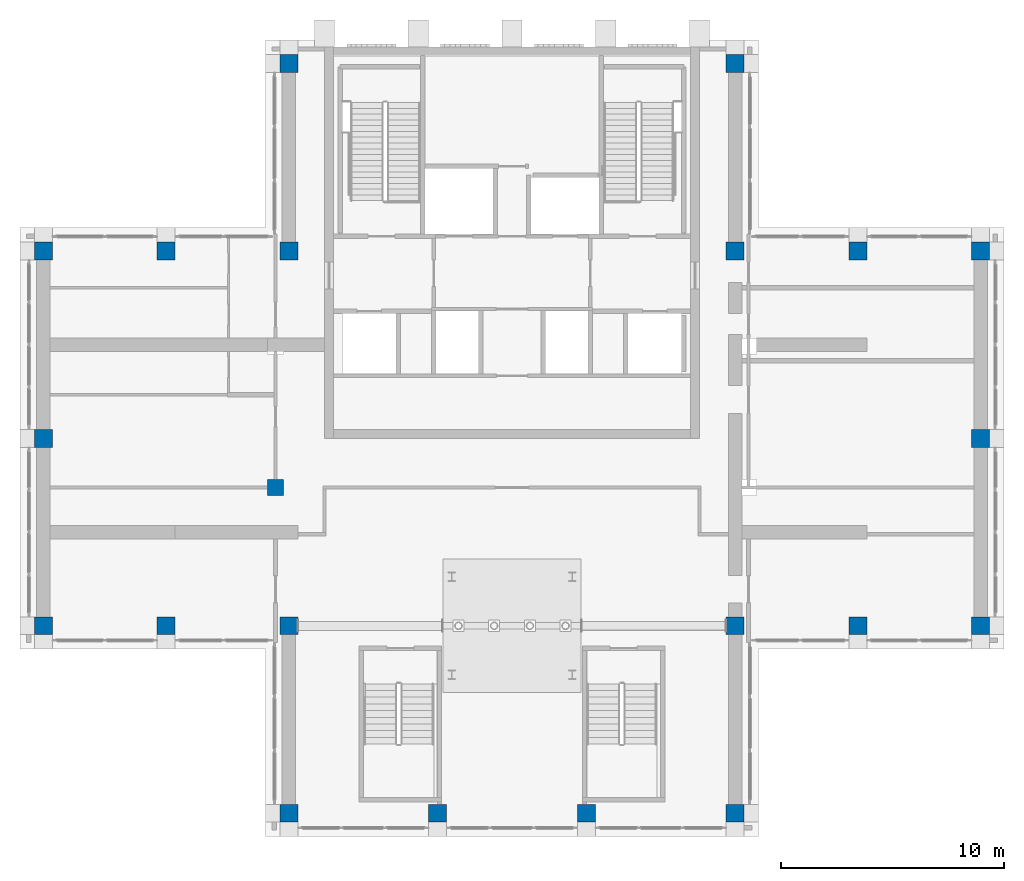
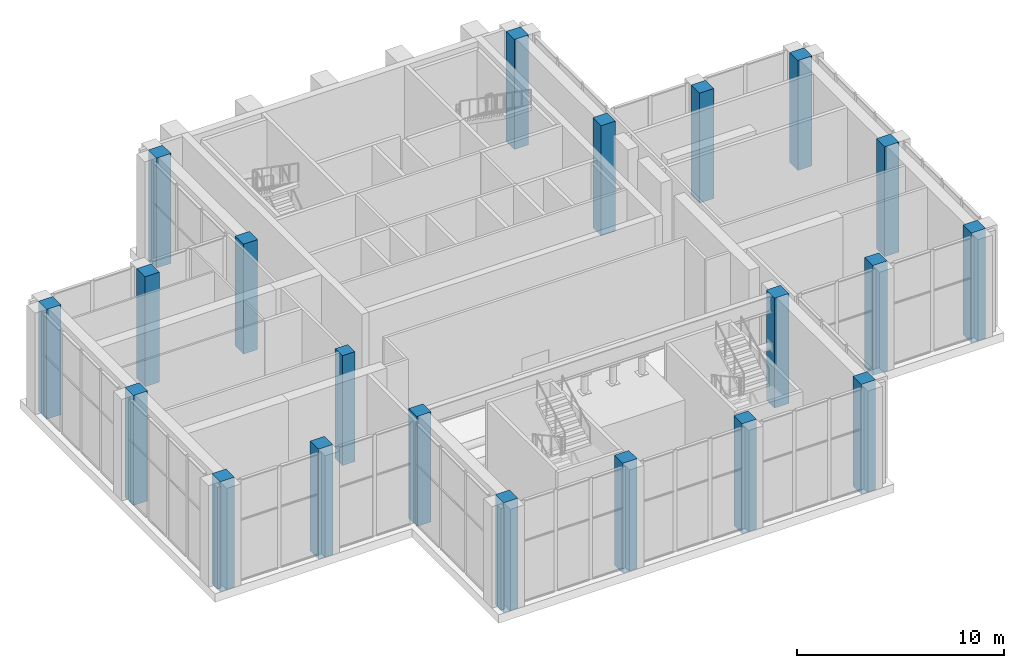
# One storey, part 1 of 14: 21 columns.
"""IFC4 building model written with IfcOpenShell, lengths in metres."""

from ifc_helpers import new_model, si_unit, direction, frame, origin, origin_2d, place, context, subcontext, project, spatial, rectangle, extrude, material, material_profile, profile_set, type_object, element, save


model = new_model("IFC4")

# Units and contexts
model_context = context("Model", 3, precision=1e-05, world=origin(), true_north=direction((0.0, 1.0)))
body_context = subcontext(model_context, "Body", "Model", "MODEL_VIEW")
ifc_project = project(units=[si_unit("LENGTHUNIT", "METRE"), si_unit("AREAUNIT", "SQUARE_METRE"), si_unit("VOLUMEUNIT", "CUBIC_METRE"), si_unit("PLANEANGLEUNIT", "RADIAN"), si_unit("MASSUNIT", "GRAM", prefix="KILO")], contexts=[model_context])

# Site, building, storey
site_placement = place(None, origin())
site = spatial("IfcSite", under=ifc_project, at=site_placement, CompositionType="ELEMENT")
building_placement = place(site_placement, origin())
building = spatial("IfcBuilding", under=site, at=building_placement, Name="Vermilion Ogive Tower", CompositionType="ELEMENT")
storey_placement = place(building_placement, frame((0.0, 0.0, 278.35009765625)))
storey = spatial("IfcBuildingStorey", under=building, at=storey_placement, Name="L73", CompositionType="ELEMENT", Elevation=278.35009765625)

# Columns
ifc_material_1 = material(Name="Concrete B45", Category="concrete")
ifc_material_profile_1 = material_profile(ifc_material_1, rectangle(XDim=0.800048828125, YDim=0.800048828125, at=origin_2d()), Name="800 x 800")
ifc_profile_set_1 = profile_set([ifc_material_profile_1], Name="Concrete B45")
column_type_1 = type_object("IfcColumnType", Name="Perimeter column 800 x 800 B45", PredefinedType="COLUMN", material=ifc_profile_set_1)
for number, where, z_axis, x_axis, name in (
    (1, (-10.0, -12.60009765625, -0.5), (0.0, 0.0, 1.0), (1.0, 0.0, 0.0), "COL-L73-P-0100-126"),
    (2, (-3.333251953125, -12.60009765625, -0.5), (0.0, 0.0, 1.0), (1.0, 0.0, 0.0), "COL-L73-P-0033-126"),
    (3, (3.333251953125, -12.60009765625, -0.5), (0.0, 0.0, 1.0), (1.0, 0.0, 0.0), "COL-L73-P+0033-126"),
    (4, (10.0, -12.60009765625, -0.5), (0.0, 0.0, 1.0), (1.0, 0.0, 0.0), "COL-L73-P+0100-126"),
    (5, (-21.0, -4.199951171875, -0.5), (0.0, 0.0, 1.0), (1.0, 0.0, 0.0), "COL-L73-P-0210-042"),
    (6, (-15.5, -4.199951171875, -0.5), (0.0, 0.0, 1.0), (1.0, 0.0, 0.0), "COL-L73-P-0155-042"),
    (7, (-10.0, -4.199951171875, -0.5), (0.0, 0.0, 1.0), (1.0, 0.0, 0.0), "COL-L73-P-0100-042"),
    (8, (10.0, -4.199951171875, -0.5), (0.0, 0.0, 1.0), (1.0, 0.0, 0.0), "COL-L73-P+0100-042"),
    (9, (15.5, -4.199951171875, -0.5), (0.0, 0.0, 1.0), (1.0, 0.0, 0.0), "COL-L73-P+0155-042"),
    (10, (21.0, -4.199951171875, -0.5), (0.0, 0.0, 1.0), (1.0, 0.0, 0.0), "COL-L73-P+0210-042"),
    (11, (-21.0, 4.199951171875, -0.5), (0.0, 0.0, 1.0), (1.0, 0.0, 0.0), "COL-L73-P-0210+042"),
    (12, (21.0, 4.199951171875, -0.5), (0.0, 0.0, 1.0), (1.0, 0.0, 0.0), "COL-L73-P+0210+042"),
    (13, (-21.0, 12.60009765625, -0.5), (0.0, 0.0, 1.0), (1.0, 0.0, 0.0), "COL-L73-P-0210+126"),
    (14, (-15.5, 12.60009765625, -0.5), (0.0, 0.0, 1.0), (1.0, 0.0, 0.0), "COL-L73-P-0155+126"),
    (15, (-10.0, 12.60009765625, -0.5), (0.0, 0.0, 1.0), (1.0, 0.0, 0.0), "COL-L73-P-0100+126"),
    (16, (10.0, 12.60009765625, -0.5), (0.0, 0.0, 1.0), (1.0, 0.0, 0.0), "COL-L73-P+0100+126"),
    (17, (15.5, 12.60009765625, -0.5), (0.0, 0.0, 1.0), (1.0, 0.0, 0.0), "COL-L73-P+0155+126"),
    (18, (21.0, 12.60009765625, -0.5), (0.0, 0.0, 1.0), (1.0, 0.0, 0.0), "COL-L73-P+0210+126"),
    (19, (-10.0, 21.0, -0.5), (0.0, 0.0, 1.0), (1.0, 0.0, 0.0), "COL-L73-P-0100+210"),
    (20, (10.0, 21.0, -0.5), (0.0, 0.0, 1.0), (1.0, 0.0, 0.0), "COL-L73-P+0100+210"),
):
    element("IfcColumn", number, at=place(storey_placement, frame(where, z_axis=z_axis, x_axis=x_axis)), inside=storey, type_object=column_type_1, Name=name, PredefinedType="COLUMN", context=body_context, shape_type="SweptSolid", body=[
        extrude(rectangle(XDim=0.800048828125, YDim=0.800048828125, at=origin_2d()), origin(), (0.0, 0.0, 1.0), 6.5),
    ])
ifc_material_2 = material(Name="Concrete B45", Category="concrete")
ifc_material_profile_2 = material_profile(ifc_material_2, rectangle(XDim=0.699951171875, YDim=0.699951171875, at=origin_2d()), Name="700 x 700")
ifc_profile_set_2 = profile_set([ifc_material_profile_2], Name="Concrete B45")
column_type_2 = type_object("IfcColumnType", Name="Ring column 700 x 700 B45", PredefinedType="COLUMN", material=ifc_profile_set_2)
column_placement = place(storey_placement, frame((-10.60009765625, 2.0, -0.5), z_axis=(0.0, 0.0, 1.0), x_axis=(1.0, 0.0, 0.0)))
element("IfcColumn", 21, at=column_placement, inside=storey, type_object=column_type_2, Name="COL-L73-R-0106+020", PredefinedType="COLUMN", context=body_context, shape_type="SweptSolid", body=[
    extrude(rectangle(XDim=0.699951171875, YDim=0.699951171875, at=origin_2d()), origin(), (0.0, 0.0, 1.0), 6.5),
])

save(model, "model.ifc")
